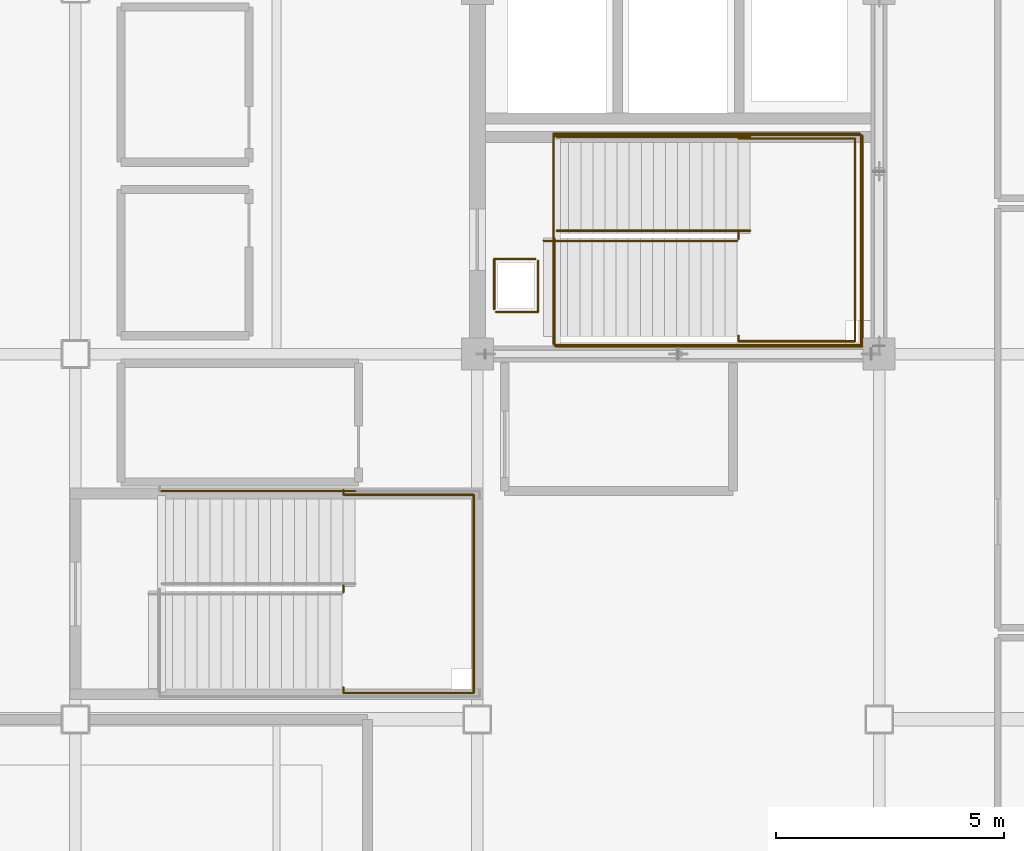
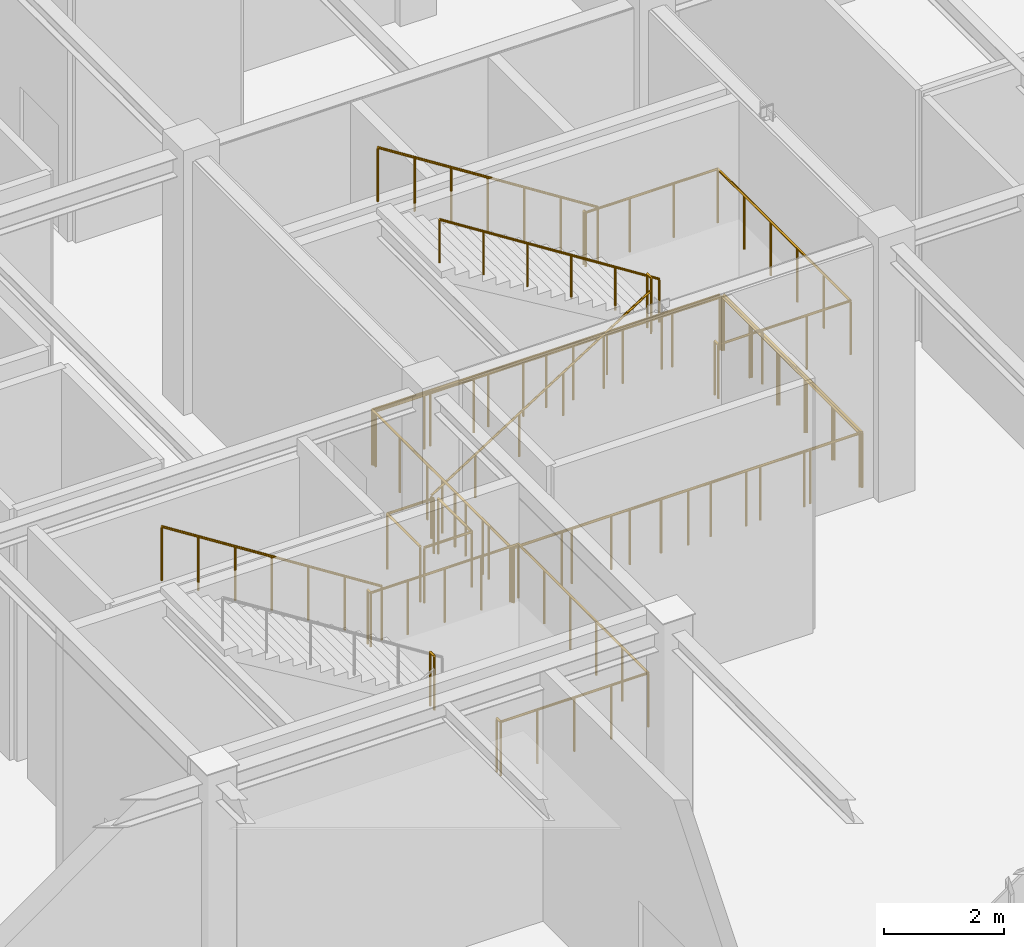
# One storey, part 98 of 108: 13 railings.
"""IFC4 building model written with IfcOpenShell, lengths in metres."""

from ifc_helpers import new_model, si_unit, direction, frame, origin, origin_2d, place, context, subcontext, project, spatial, circle, extrude, material, type_object, element, save


model = new_model("IFC4")

# Units and contexts
model_context = context("Model", 3, precision=1e-05, world=origin(), true_north=direction((0.0, 1.0)))
body_context = subcontext(model_context, "Body", "Model", "MODEL_VIEW")
ifc_project = project(units=[si_unit("LENGTHUNIT", "METRE"), si_unit("AREAUNIT", "SQUARE_METRE"), si_unit("VOLUMEUNIT", "CUBIC_METRE"), si_unit("PLANEANGLEUNIT", "RADIAN"), si_unit("MASSUNIT", "GRAM", prefix="KILO")], contexts=[model_context])

# Site, building, storey
site_placement = place(None, origin())
site = spatial("IfcSite", under=ifc_project, at=site_placement, CompositionType="ELEMENT")
building_placement = place(site_placement, origin())
building = spatial("IfcBuilding", under=site, at=building_placement, Name="Zhaolan Boulevard Law Courts", CompositionType="ELEMENT")
storey_placement = place(building_placement, frame((0.0, 0.0, 10.800048828125)))
storey = spatial("IfcBuildingStorey", under=building, at=storey_placement, Name="L02", CompositionType="ELEMENT", Elevation=10.800048828125)

# Railings
ifc_material_1 = material(Name="Powder-coated steel and tempered laminated glass", Category="steel")
railing_type_1 = type_object("IfcRailingType", Name="INTERIOR GUARDRAIL 1150", PredefinedType="GUARDRAIL", material=ifc_material_1)
railing_1_placement = place(storey_placement, frame((19.31005859375, 46.169921875, 0.0)))
element("IfcRailing", 1, at=railing_1_placement, inside=storey, type_object=railing_type_1, Name="Atrium Gallery Guardrail VG-2-V5-6A", PredefinedType="GUARDRAIL", context=body_context, shape_type="SweptSolid", body=[
    extrude(circle(Radius=0.02490234375, at=origin_2d()), frame((0.0, 0.0, 1.125), z_axis=(1.0, 0.0, 0.0), x_axis=(0.0, 1.0, 0.0)), (0.0, 0.0, 1.0), 6.719970703125),
    extrude(circle(Radius=0.02490234375, at=origin_2d()), frame((6.719970703125, 0.0, 1.125), z_axis=(0.0, 1.0, 0.0), x_axis=(-1.0, 0.0, 0.0)), (0.0, 0.0, 1.0), 4.6201171875),
    extrude(circle(Radius=0.02099609375, at=origin_2d()), origin(), (0.0, 0.0, 1.0), 1.099853515625),
    extrude(circle(Radius=0.02099609375, at=origin_2d()), frame((1.1201171875, 0.0, 0.0)), (0.0, 0.0, 1.0), 1.099853515625),
    extrude(circle(Radius=0.02099609375, at=origin_2d()), frame((2.239990234375, 0.0, 0.0)), (0.0, 0.0, 1.0), 1.099853515625),
    extrude(circle(Radius=0.02099609375, at=origin_2d()), frame((3.35986328125, 0.0, 0.0)), (0.0, 0.0, 1.0), 1.099853515625),
    extrude(circle(Radius=0.02099609375, at=origin_2d()), frame((4.47998046875, 0.0, 0.0)), (0.0, 0.0, 1.0), 1.099853515625),
    extrude(circle(Radius=0.02099609375, at=origin_2d()), frame((5.60009765625, 0.0, 0.0)), (0.0, 0.0, 1.0), 1.099853515625),
    extrude(circle(Radius=0.02099609375, at=origin_2d()), frame((6.719970703125, 0.0, 0.0)), (0.0, 0.0, 1.0), 1.099853515625),
    extrude(circle(Radius=0.02099609375, at=origin_2d()), frame((6.719970703125, 0.924072265625, 0.0)), (0.0, 0.0, 1.0), 1.099853515625),
    extrude(circle(Radius=0.02099609375, at=origin_2d()), frame((6.719970703125, 1.84814453125, 0.0)), (0.0, 0.0, 1.0), 1.099853515625),
    extrude(circle(Radius=0.02099609375, at=origin_2d()), frame((6.719970703125, 2.77197265625, 0.0)), (0.0, 0.0, 1.0), 1.099853515625),
    extrude(circle(Radius=0.02099609375, at=origin_2d()), frame((6.719970703125, 3.696044921875, 0.0)), (0.0, 0.0, 1.0), 1.099853515625),
    extrude(circle(Radius=0.02099609375, at=origin_2d()), frame((6.719970703125, 4.6201171875, 0.0)), (0.0, 0.0, 1.0), 1.099853515625),
])
railing_2_placement = place(storey_placement, frame((25.969970703125, 50.830078125, 0.0)))
element("IfcRailing", 2, at=railing_2_placement, inside=storey, type_object=railing_type_1, Name="Atrium Gallery Guardrail VG-2-V5-6B", PredefinedType="GUARDRAIL", context=body_context, shape_type="SweptSolid", body=[
    extrude(circle(Radius=0.02490234375, at=origin_2d()), frame((0.0, 0.0, 1.125), z_axis=(-1.0, 0.0, 0.0), x_axis=(0.0, -1.0, 0.0)), (0.0, 0.0, 1.0), 6.699951171875),
    extrude(circle(Radius=0.02490234375, at=origin_2d()), frame((-6.699951171875, 0.0, 1.125), z_axis=(0.0, -1.0, 0.0), x_axis=(1.0, 0.0, 0.0)), (0.0, 0.0, 1.0), 4.60009765625),
    extrude(circle(Radius=0.02099609375, at=origin_2d()), origin(), (0.0, 0.0, 1.0), 1.099853515625),
    extrude(circle(Radius=0.02099609375, at=origin_2d()), frame((-1.11669921875, 0.0, 0.0)), (0.0, 0.0, 1.0), 1.099853515625),
    extrude(circle(Radius=0.02099609375, at=origin_2d()), frame((-2.2333984375, 0.0, 0.0)), (0.0, 0.0, 1.0), 1.099853515625),
    extrude(circle(Radius=0.02099609375, at=origin_2d()), frame((-3.35009765625, 0.0, 0.0)), (0.0, 0.0, 1.0), 1.099853515625),
    extrude(circle(Radius=0.02099609375, at=origin_2d()), frame((-4.466552734375, 0.0, 0.0)), (0.0, 0.0, 1.0), 1.099853515625),
    extrude(circle(Radius=0.02099609375, at=origin_2d()), frame((-5.583251953125, 0.0, 0.0)), (0.0, 0.0, 1.0), 1.099853515625),
    extrude(circle(Radius=0.02099609375, at=origin_2d()), frame((-6.699951171875, 0.0, 0.0)), (0.0, 0.0, 1.0), 1.099853515625),
    extrude(circle(Radius=0.02099609375, at=origin_2d()), frame((-6.699951171875, -0.919921875, 0.0)), (0.0, 0.0, 1.0), 1.099853515625),
    extrude(circle(Radius=0.02099609375, at=origin_2d()), frame((-6.699951171875, -1.840087890625, 0.0)), (0.0, 0.0, 1.0), 1.099853515625),
    extrude(circle(Radius=0.02099609375, at=origin_2d()), frame((-6.699951171875, -2.760009765625, 0.0)), (0.0, 0.0, 1.0), 1.099853515625),
    extrude(circle(Radius=0.02099609375, at=origin_2d()), frame((-6.699951171875, -3.68017578125, 0.0)), (0.0, 0.0, 1.0), 1.099853515625),
    extrude(circle(Radius=0.02099609375, at=origin_2d()), frame((-6.699951171875, -4.60009765625, 0.0)), (0.0, 0.0, 1.0), 1.099853515625),
])
railing_3_placement = place(storey_placement, frame((18.010009765625, 46.919921875, 0.0)))
element("IfcRailing", 3, at=railing_3_placement, inside=storey, type_object=railing_type_1, Name="Atrium Gallery Guardrail VG-2-V5-9A", PredefinedType="GUARDRAIL", context=body_context, shape_type="SweptSolid", body=[
    extrude(circle(Radius=0.02490234375, at=origin_2d()), frame((0.0, 0.0, 1.125), z_axis=(1.0, 0.0, 0.0), x_axis=(0.0, 1.0, 0.0)), (0.0, 0.0, 1.0), 0.919921875),
    extrude(circle(Radius=0.02490234375, at=origin_2d()), frame((0.919921875, 0.0, 1.125), z_axis=(0.0, 1.0, 0.0), x_axis=(-1.0, 0.0, 0.0)), (0.0, 0.0, 1.0), 1.1201171875),
    extrude(circle(Radius=0.02099609375, at=origin_2d()), origin(), (0.0, 0.0, 1.0), 1.099853515625),
    extrude(circle(Radius=0.02099609375, at=origin_2d()), frame((0.919921875, 0.0, 0.0)), (0.0, 0.0, 1.0), 1.099853515625),
    extrude(circle(Radius=0.02099609375, at=origin_2d()), frame((0.919921875, 1.1201171875, 0.0)), (0.0, 0.0, 1.0), 1.099853515625),
])
railing_4_placement = place(storey_placement, frame((18.8701171875, 48.080078125, 0.0)))
element("IfcRailing", 4, at=railing_4_placement, inside=storey, type_object=railing_type_1, Name="Atrium Gallery Guardrail VG-2-V5-9B", PredefinedType="GUARDRAIL", context=body_context, shape_type="SweptSolid", body=[
    extrude(circle(Radius=0.02490234375, at=origin_2d()), frame((0.0, 0.0, 1.125), z_axis=(-1.0, 0.0, 0.0), x_axis=(0.0, -1.0, 0.0)), (0.0, 0.0, 1.0), 0.900146484375),
    extrude(circle(Radius=0.02490234375, at=origin_2d()), frame((-0.900146484375, 0.0, 1.125), z_axis=(0.0, -1.0, 0.0), x_axis=(1.0, 0.0, 0.0)), (0.0, 0.0, 1.0), 1.10009765625),
    extrude(circle(Radius=0.02099609375, at=origin_2d()), origin(), (0.0, 0.0, 1.0), 1.099853515625),
    extrude(circle(Radius=0.02099609375, at=origin_2d()), frame((-0.900146484375, 0.0, 0.0)), (0.0, 0.0, 1.0), 1.099853515625),
    extrude(circle(Radius=0.02099609375, at=origin_2d()), frame((-0.900146484375, -1.10009765625, 0.0)), (0.0, 0.0, 1.0), 1.099853515625),
])
ifc_material_2 = material(Name="Brushed stainless steel tubular handrail", Category="steel")
railing_type_2 = type_object("IfcRailingType", Name="STAIR HANDRAIL 900", PredefinedType="HANDRAIL", material=ifc_material_2)
railing_5_placement = place(storey_placement, frame((19.050048828125, 48.47998046875, 0.0)))
element("IfcRailing", 5, at=railing_5_placement, inside=storey, type_object=railing_type_2, Name="Stair Handrail HR-ST01-L02-1", PredefinedType="HANDRAIL", context=body_context, shape_type="SweptSolid", body=[
    extrude(circle(Radius=0.0224609375, at=origin_2d()), frame((0.0, 0.0, 0.87744140625), z_axis=(0.843501457581, 0.0, 0.537126885437), x_axis=(0.0, 1.0, 0.0)), (0.0, 0.0, 1.0), 5.026611328125),
    extrude(circle(Radius=0.01904296875, at=origin_2d()), origin(), (0.0, 0.0, 1.0), 0.85498046875),
    extrude(circle(Radius=0.01904296875, at=origin_2d()), frame((0.847900390625, 0.0, 0.5400390625)), (0.0, 0.0, 1.0), 0.85498046875),
    extrude(circle(Radius=0.01904296875, at=origin_2d()), frame((1.696044921875, 0.0, 1.080078125)), (0.0, 0.0, 1.0), 0.85498046875),
    extrude(circle(Radius=0.01904296875, at=origin_2d()), frame((2.5439453125, 0.0, 1.619873046875)), (0.0, 0.0, 1.0), 0.85498046875),
    extrude(circle(Radius=0.01904296875, at=origin_2d()), frame((3.39208984375, 0.0, 2.159912109375)), (0.0, 0.0, 1.0), 0.85498046875),
    extrude(circle(Radius=0.01904296875, at=origin_2d()), frame((4.239990234375, 0.0, 2.699951171875)), (0.0, 0.0, 1.0), 0.85498046875),
])
railing_6_placement = place(storey_placement, frame((23.574951171875, 48.699951171875, 2.699951171875)))
element("IfcRailing", 6, at=railing_6_placement, inside=storey, type_object=railing_type_2, Name="Stair Handrail HR-ST01-L02-2", PredefinedType="HANDRAIL", context=body_context, shape_type="SweptSolid", body=[
    extrude(circle(Radius=0.0224609375, at=origin_2d()), frame((0.0, 0.0, 0.87744140625), z_axis=(-0.843501457581, 0.0, 0.537126885437), x_axis=(0.0, -1.0, 0.0)), (0.0, 0.0, 1.0), 5.026611328125),
    extrude(circle(Radius=0.01904296875, at=origin_2d()), origin(), (0.0, 0.0, 1.0), 0.85498046875),
    extrude(circle(Radius=0.01904296875, at=origin_2d()), frame((-0.847900390625, 0.0, 0.5400390625)), (0.0, 0.0, 1.0), 0.85498046875),
    extrude(circle(Radius=0.01904296875, at=origin_2d()), frame((-1.696044921875, 0.0, 1.080078125)), (0.0, 0.0, 1.0), 0.85498046875),
    extrude(circle(Radius=0.01904296875, at=origin_2d()), frame((-2.5439453125, 0.0, 1.619873046875)), (0.0, 0.0, 1.0), 0.85498046875),
    extrude(circle(Radius=0.01904296875, at=origin_2d()), frame((-3.39208984375, 0.0, 2.159912109375)), (0.0, 0.0, 1.0), 0.85498046875),
    extrude(circle(Radius=0.01904296875, at=origin_2d()), frame((-4.239990234375, 0.0, 2.699951171875)), (0.0, 0.0, 1.0), 0.85498046875),
])
ifc_material_3 = material(Name="Powder-coated steel baluster guardrail", Category="steel")
railing_type_3 = type_object("IfcRailingType", Name="STAIR WELL GUARDRAIL 1120", PredefinedType="GUARDRAIL", material=ifc_material_3)
railing_7_placement = place(storey_placement, frame((19.2900390625, 48.530029296875, 0.0)))
element("IfcRailing", 7, at=railing_7_placement, inside=storey, type_object=railing_type_3, Name="Stair-Well Floor Guardrail WG-ST01-L01", PredefinedType="GUARDRAIL", context=body_context, shape_type="SweptSolid", body=[
    extrude(circle(Radius=0.02392578125, at=origin_2d()), frame((0.0, 0.0, 1.09619140625), z_axis=(0.0, -1.0, 0.0), x_axis=(1.0, 0.0, 0.0)), (0.0, 0.0, 1.0), 2.330078125),
    extrude(circle(Radius=0.02392578125, at=origin_2d()), frame((0.0, -2.330078125, 1.09619140625), z_axis=(1.0, 0.0, 0.0), x_axis=(0.0, 1.0, 0.0)), (0.0, 0.0, 1.0), 6.7099609375),
    extrude(circle(Radius=0.02392578125, at=origin_2d()), frame((6.7099609375, -2.330078125, 1.09619140625), z_axis=(0.0, 1.0, 0.0), x_axis=(-1.0, 0.0, 0.0)), (0.0, 0.0, 1.0), 4.60009765625),
    extrude(circle(Radius=0.02392578125, at=origin_2d()), frame((6.7099609375, 2.27001953125, 1.09619140625), z_axis=(-1.0, 0.0, 0.0), x_axis=(0.0, -1.0, 0.0)), (0.0, 0.0, 1.0), 6.7099609375),
    extrude(circle(Radius=0.02392578125, at=origin_2d()), frame((0.0, 2.27001953125, 1.09619140625), z_axis=(0.0, -1.0, 0.0), x_axis=(1.0, 0.0, 0.0)), (0.0, 0.0, 1.0), 0.0400390625),
    extrude(circle(Radius=0.02099609375, at=origin_2d()), origin(), (0.0, 0.0, 1.0), 1.072021484375),
    extrude(circle(Radius=0.02099609375, at=origin_2d()), frame((0.0, -0.776611328125, 0.0)), (0.0, 0.0, 1.0), 1.072021484375),
    extrude(circle(Radius=0.02099609375, at=origin_2d()), frame((0.0, -1.553466796875, 0.0)), (0.0, 0.0, 1.0), 1.072021484375),
    extrude(circle(Radius=0.02099609375, at=origin_2d()), frame((0.0, -2.330078125, 0.0)), (0.0, 0.0, 1.0), 1.072021484375),
    extrude(circle(Radius=0.02099609375, at=origin_2d()), frame((0.95849609375, -2.330078125, 0.0)), (0.0, 0.0, 1.0), 1.072021484375),
    extrude(circle(Radius=0.02099609375, at=origin_2d()), frame((1.917236328125, -2.330078125, 0.0)), (0.0, 0.0, 1.0), 1.072021484375),
    extrude(circle(Radius=0.02099609375, at=origin_2d()), frame((2.875732421875, -2.330078125, 0.0)), (0.0, 0.0, 1.0), 1.072021484375),
    extrude(circle(Radius=0.02099609375, at=origin_2d()), frame((3.834228515625, -2.330078125, 0.0)), (0.0, 0.0, 1.0), 1.072021484375),
    extrude(circle(Radius=0.02099609375, at=origin_2d()), frame((4.792724609375, -2.330078125, 0.0)), (0.0, 0.0, 1.0), 1.072021484375),
    extrude(circle(Radius=0.02099609375, at=origin_2d()), frame((5.75146484375, -2.330078125, 0.0)), (0.0, 0.0, 1.0), 1.072021484375),
    extrude(circle(Radius=0.02099609375, at=origin_2d()), frame((6.7099609375, -2.330078125, 0.0)), (0.0, 0.0, 1.0), 1.072021484375),
    extrude(circle(Radius=0.02099609375, at=origin_2d()), frame((6.7099609375, -1.41015625, 0.0)), (0.0, 0.0, 1.0), 1.072021484375),
    extrude(circle(Radius=0.02099609375, at=origin_2d()), frame((6.7099609375, -0.489990234375, 0.0)), (0.0, 0.0, 1.0), 1.072021484375),
    extrude(circle(Radius=0.02099609375, at=origin_2d()), frame((6.7099609375, 0.429931640625, 0.0)), (0.0, 0.0, 1.0), 1.072021484375),
    extrude(circle(Radius=0.02099609375, at=origin_2d()), frame((6.7099609375, 1.35009765625, 0.0)), (0.0, 0.0, 1.0), 1.072021484375),
    extrude(circle(Radius=0.02099609375, at=origin_2d()), frame((6.7099609375, 2.27001953125, 0.0)), (0.0, 0.0, 1.0), 1.072021484375),
    extrude(circle(Radius=0.02099609375, at=origin_2d()), frame((5.75146484375, 2.27001953125, 0.0)), (0.0, 0.0, 1.0), 1.072021484375),
    extrude(circle(Radius=0.02099609375, at=origin_2d()), frame((4.792724609375, 2.27001953125, 0.0)), (0.0, 0.0, 1.0), 1.072021484375),
    extrude(circle(Radius=0.02099609375, at=origin_2d()), frame((3.834228515625, 2.27001953125, 0.0)), (0.0, 0.0, 1.0), 1.072021484375),
    extrude(circle(Radius=0.02099609375, at=origin_2d()), frame((2.875732421875, 2.27001953125, 0.0)), (0.0, 0.0, 1.0), 1.072021484375),
    extrude(circle(Radius=0.02099609375, at=origin_2d()), frame((1.917236328125, 2.27001953125, 0.0)), (0.0, 0.0, 1.0), 1.072021484375),
    extrude(circle(Radius=0.02099609375, at=origin_2d()), frame((0.95849609375, 2.27001953125, 0.0)), (0.0, 0.0, 1.0), 1.072021484375),
    extrude(circle(Radius=0.02099609375, at=origin_2d()), frame((0.0, 2.27001953125, 0.0)), (0.0, 0.0, 1.0), 1.072021484375),
    extrude(circle(Radius=0.02099609375, at=origin_2d()), frame((0.0, 2.22998046875, 0.0)), (0.0, 0.0, 1.0), 1.072021484375),
])
railing_8_placement = place(storey_placement, frame((23.320068359375, 46.39990234375, 2.699951171875)))
element("IfcRailing", 8, at=railing_8_placement, inside=storey, type_object=railing_type_3, Name="Half-Landing Guardrail SG-ST01-L02-M", PredefinedType="GUARDRAIL", context=body_context, shape_type="SweptSolid", body=[
    extrude(circle(Radius=0.02392578125, at=origin_2d()), frame((0.0, 0.0, 1.09619140625), z_axis=(0.0, -1.0, 0.0), x_axis=(1.0, 0.0, 0.0)), (0.0, 0.0, 1.0), 0.119873046875),
    extrude(circle(Radius=0.02392578125, at=origin_2d()), frame((0.0, -0.119873046875, 1.09619140625), z_axis=(1.0, 0.0, 0.0), x_axis=(0.0, 1.0, 0.0)), (0.0, 0.0, 1.0), 2.550048828125),
    extrude(circle(Radius=0.02392578125, at=origin_2d()), frame((2.550048828125, -0.119873046875, 1.09619140625), z_axis=(0.0, 1.0, 0.0), x_axis=(-1.0, 0.0, 0.0)), (0.0, 0.0, 1.0), 4.43994140625),
    extrude(circle(Radius=0.02392578125, at=origin_2d()), frame((2.550048828125, 4.320068359375, 1.09619140625), z_axis=(-1.0, 0.0, 0.0), x_axis=(0.0, -1.0, 0.0)), (0.0, 0.0, 1.0), 2.550048828125),
    extrude(circle(Radius=0.02392578125, at=origin_2d()), frame((0.0, 4.320068359375, 1.09619140625), z_axis=(0.0, 1.0, 0.0), x_axis=(-1.0, 0.0, 0.0)), (0.0, 0.0, 1.0), 0.06005859375),
    extrude(circle(Radius=0.02099609375, at=origin_2d()), origin(), (0.0, 0.0, 1.0), 1.072021484375),
    extrude(circle(Radius=0.02099609375, at=origin_2d()), frame((0.0, -0.119873046875, 0.0)), (0.0, 0.0, 1.0), 1.072021484375),
    extrude(circle(Radius=0.02099609375, at=origin_2d()), frame((0.85009765625, -0.119873046875, 0.0)), (0.0, 0.0, 1.0), 1.072021484375),
    extrude(circle(Radius=0.02099609375, at=origin_2d()), frame((1.699951171875, -0.119873046875, 0.0)), (0.0, 0.0, 1.0), 1.072021484375),
    extrude(circle(Radius=0.02099609375, at=origin_2d()), frame((2.550048828125, -0.119873046875, 0.0)), (0.0, 0.0, 1.0), 1.072021484375),
    extrude(circle(Radius=0.02099609375, at=origin_2d()), frame((2.550048828125, 0.76806640625, 0.0)), (0.0, 0.0, 1.0), 1.072021484375),
    extrude(circle(Radius=0.02099609375, at=origin_2d()), frame((2.550048828125, 1.656005859375, 0.0)), (0.0, 0.0, 1.0), 1.072021484375),
    extrude(circle(Radius=0.02099609375, at=origin_2d()), frame((2.550048828125, 2.544189453125, 0.0)), (0.0, 0.0, 1.0), 1.072021484375),
    extrude(circle(Radius=0.02099609375, at=origin_2d()), frame((2.550048828125, 3.43212890625, 0.0)), (0.0, 0.0, 1.0), 1.072021484375),
    extrude(circle(Radius=0.02099609375, at=origin_2d()), frame((2.550048828125, 4.320068359375, 0.0)), (0.0, 0.0, 1.0), 1.072021484375),
    extrude(circle(Radius=0.02099609375, at=origin_2d()), frame((1.699951171875, 4.320068359375, 0.0)), (0.0, 0.0, 1.0), 1.072021484375),
    extrude(circle(Radius=0.02099609375, at=origin_2d()), frame((0.85009765625, 4.320068359375, 0.0)), (0.0, 0.0, 1.0), 1.072021484375),
    extrude(circle(Radius=0.02099609375, at=origin_2d()), frame((0.0, 4.320068359375, 0.0)), (0.0, 0.0, 1.0), 1.072021484375),
    extrude(circle(Radius=0.02099609375, at=origin_2d()), frame((0.0, 4.380126953125, 0.0)), (0.0, 0.0, 1.0), 1.072021484375),
])
railing_9_placement = place(storey_placement, frame((23.320068359375, 48.52001953125, 2.699951171875)))
element("IfcRailing", 9, at=railing_9_placement, inside=storey, type_object=railing_type_3, Name="Half-Landing Well Guardrail SG-ST01-L02-W", PredefinedType="GUARDRAIL", context=body_context, shape_type="SweptSolid", body=[
    extrude(circle(Radius=0.02392578125, at=origin_2d()), frame((0.0, 0.0, 1.09619140625), z_axis=(0.0, 1.0, 0.0), x_axis=(-1.0, 0.0, 0.0)), (0.0, 0.0, 1.0), 0.139892578125),
    extrude(circle(Radius=0.02099609375, at=origin_2d()), origin(), (0.0, 0.0, 1.0), 1.072021484375),
    extrude(circle(Radius=0.02099609375, at=origin_2d()), frame((0.0, 0.139892578125, 0.0)), (0.0, 0.0, 1.0), 1.072021484375),
])
railing_10_placement = place(storey_placement, frame((23.574951171875, 50.760009765625, 2.699951171875)))
element("IfcRailing", 10, at=railing_10_placement, inside=storey, type_object=railing_type_3, Name="Flight Guardrail SG-ST01-L02-F2", PredefinedType="GUARDRAIL", context=body_context, shape_type="SweptSolid", body=[
    extrude(circle(Radius=0.02392578125, at=origin_2d()), frame((0.0, 0.0, 1.09619140625), z_axis=(-0.843501457581, 0.0, 0.537126885437), x_axis=(0.0, -1.0, 0.0)), (0.0, 0.0, 1.0), 5.026611328125),
    extrude(circle(Radius=0.02099609375, at=origin_2d()), origin(), (0.0, 0.0, 1.0), 1.072021484375),
    extrude(circle(Radius=0.02099609375, at=origin_2d()), frame((-0.70654296875, 0.0, 0.449951171875)), (0.0, 0.0, 1.0), 1.072021484375),
    extrude(circle(Radius=0.02099609375, at=origin_2d()), frame((-1.413330078125, 0.0, 0.89990234375)), (0.0, 0.0, 1.0), 1.072021484375),
    extrude(circle(Radius=0.02099609375, at=origin_2d()), frame((-2.1201171875, 0.0, 1.35009765625)), (0.0, 0.0, 1.0), 1.072021484375),
    extrude(circle(Radius=0.02099609375, at=origin_2d()), frame((-2.82666015625, 0.0, 1.800048828125)), (0.0, 0.0, 1.0), 1.072021484375),
    extrude(circle(Radius=0.02099609375, at=origin_2d()), frame((-3.533203125, 0.0, 2.25)), (0.0, 0.0, 1.0), 1.072021484375),
    extrude(circle(Radius=0.02099609375, at=origin_2d()), frame((-4.239990234375, 0.0, 2.699951171875)), (0.0, 0.0, 1.0), 1.072021484375),
])
railing_11_placement = place(storey_placement, frame((14.669921875, 38.699951171875, 2.699951171875)))
element("IfcRailing", 11, at=railing_11_placement, inside=storey, type_object=railing_type_3, Name="Half-Landing Guardrail SG-ST03-L02-M", PredefinedType="GUARDRAIL", context=body_context, shape_type="SweptSolid", body=[
    extrude(circle(Radius=0.02392578125, at=origin_2d()), frame((0.0, 0.0, 1.09619140625), z_axis=(0.0, -1.0, 0.0), x_axis=(1.0, 0.0, 0.0)), (0.0, 0.0, 1.0), 0.119873046875),
    extrude(circle(Radius=0.02392578125, at=origin_2d()), frame((0.0, -0.119873046875, 1.09619140625), z_axis=(1.0, 0.0, 0.0), x_axis=(0.0, 1.0, 0.0)), (0.0, 0.0, 1.0), 2.85009765625),
    extrude(circle(Radius=0.02392578125, at=origin_2d()), frame((2.85009765625, -0.119873046875, 1.09619140625), z_axis=(0.0, 1.0, 0.0), x_axis=(-1.0, 0.0, 0.0)), (0.0, 0.0, 1.0), 4.33984375),
    extrude(circle(Radius=0.02392578125, at=origin_2d()), frame((2.85009765625, 4.219970703125, 1.09619140625), z_axis=(-1.0, 0.0, 0.0), x_axis=(0.0, -1.0, 0.0)), (0.0, 0.0, 1.0), 2.85009765625),
    extrude(circle(Radius=0.02392578125, at=origin_2d()), frame((0.0, 4.219970703125, 1.09619140625), z_axis=(0.0, 1.0, 0.0), x_axis=(-1.0, 0.0, 0.0)), (0.0, 0.0, 1.0), 0.10009765625),
    extrude(circle(Radius=0.02099609375, at=origin_2d()), origin(), (0.0, 0.0, 1.0), 1.072021484375),
    extrude(circle(Radius=0.02099609375, at=origin_2d()), frame((0.0, -0.119873046875, 0.0)), (0.0, 0.0, 1.0), 1.072021484375),
    extrude(circle(Radius=0.02099609375, at=origin_2d()), frame((0.71240234375, -0.119873046875, 0.0)), (0.0, 0.0, 1.0), 1.072021484375),
    extrude(circle(Radius=0.02099609375, at=origin_2d()), frame((1.425048828125, -0.119873046875, 0.0)), (0.0, 0.0, 1.0), 1.072021484375),
    extrude(circle(Radius=0.02099609375, at=origin_2d()), frame((2.1376953125, -0.119873046875, 0.0)), (0.0, 0.0, 1.0), 1.072021484375),
    extrude(circle(Radius=0.02099609375, at=origin_2d()), frame((2.85009765625, -0.119873046875, 0.0)), (0.0, 0.0, 1.0), 1.072021484375),
    extrude(circle(Radius=0.02099609375, at=origin_2d()), frame((2.85009765625, 0.748046875, 0.0)), (0.0, 0.0, 1.0), 1.072021484375),
    extrude(circle(Radius=0.02099609375, at=origin_2d()), frame((2.85009765625, 1.615966796875, 0.0)), (0.0, 0.0, 1.0), 1.072021484375),
    extrude(circle(Radius=0.02099609375, at=origin_2d()), frame((2.85009765625, 2.484130859375, 0.0)), (0.0, 0.0, 1.0), 1.072021484375),
    extrude(circle(Radius=0.02099609375, at=origin_2d()), frame((2.85009765625, 3.35205078125, 0.0)), (0.0, 0.0, 1.0), 1.072021484375),
    extrude(circle(Radius=0.02099609375, at=origin_2d()), frame((2.85009765625, 4.219970703125, 0.0)), (0.0, 0.0, 1.0), 1.072021484375),
    extrude(circle(Radius=0.02099609375, at=origin_2d()), frame((2.1376953125, 4.219970703125, 0.0)), (0.0, 0.0, 1.0), 1.072021484375),
    extrude(circle(Radius=0.02099609375, at=origin_2d()), frame((1.425048828125, 4.219970703125, 0.0)), (0.0, 0.0, 1.0), 1.072021484375),
    extrude(circle(Radius=0.02099609375, at=origin_2d()), frame((0.71240234375, 4.219970703125, 0.0)), (0.0, 0.0, 1.0), 1.072021484375),
    extrude(circle(Radius=0.02099609375, at=origin_2d()), frame((0.0, 4.219970703125, 0.0)), (0.0, 0.0, 1.0), 1.072021484375),
    extrude(circle(Radius=0.02099609375, at=origin_2d()), frame((0.0, 4.320068359375, 0.0)), (0.0, 0.0, 1.0), 1.072021484375),
])
railing_12_placement = place(storey_placement, frame((14.669921875, 40.7900390625, 2.699951171875)))
element("IfcRailing", 12, at=railing_12_placement, inside=storey, type_object=railing_type_3, Name="Half-Landing Well Guardrail SG-ST03-L02-W", PredefinedType="GUARDRAIL", context=body_context, shape_type="SweptSolid", body=[
    extrude(circle(Radius=0.02392578125, at=origin_2d()), frame((0.0, 0.0, 1.09619140625), z_axis=(0.0, 1.0, 0.0), x_axis=(-1.0, 0.0, 0.0)), (0.0, 0.0, 1.0), 0.139892578125),
    extrude(circle(Radius=0.02099609375, at=origin_2d()), origin(), (0.0, 0.0, 1.0), 1.072021484375),
    extrude(circle(Radius=0.02099609375, at=origin_2d()), frame((0.0, 0.139892578125, 0.0)), (0.0, 0.0, 1.0), 1.072021484375),
])
railing_13_placement = place(storey_placement, frame((14.925048828125, 43.0, 2.699951171875)))
element("IfcRailing", 13, at=railing_13_placement, inside=storey, type_object=railing_type_3, Name="Flight Guardrail SG-ST03-L02-F2", PredefinedType="GUARDRAIL", context=body_context, shape_type="SweptSolid", body=[
    extrude(circle(Radius=0.02392578125, at=origin_2d()), frame((0.0, 0.0, 1.09619140625), z_axis=(-0.843501457581, 0.0, 0.537126885437), x_axis=(0.0, -1.0, 0.0)), (0.0, 0.0, 1.0), 5.026611328125),
    extrude(circle(Radius=0.02099609375, at=origin_2d()), origin(), (0.0, 0.0, 1.0), 1.072021484375),
    extrude(circle(Radius=0.02099609375, at=origin_2d()), frame((-0.70654296875, 0.0, 0.449951171875)), (0.0, 0.0, 1.0), 1.072021484375),
    extrude(circle(Radius=0.02099609375, at=origin_2d()), frame((-1.413330078125, 0.0, 0.89990234375)), (0.0, 0.0, 1.0), 1.072021484375),
    extrude(circle(Radius=0.02099609375, at=origin_2d()), frame((-2.1201171875, 0.0, 1.35009765625)), (0.0, 0.0, 1.0), 1.072021484375),
    extrude(circle(Radius=0.02099609375, at=origin_2d()), frame((-2.82666015625, 0.0, 1.800048828125)), (0.0, 0.0, 1.0), 1.072021484375),
    extrude(circle(Radius=0.02099609375, at=origin_2d()), frame((-3.533203125, 0.0, 2.25)), (0.0, 0.0, 1.0), 1.072021484375),
    extrude(circle(Radius=0.02099609375, at=origin_2d()), frame((-4.239990234375, 0.0, 2.699951171875)), (0.0, 0.0, 1.0), 1.072021484375),
])

save(model, "model.ifc")
